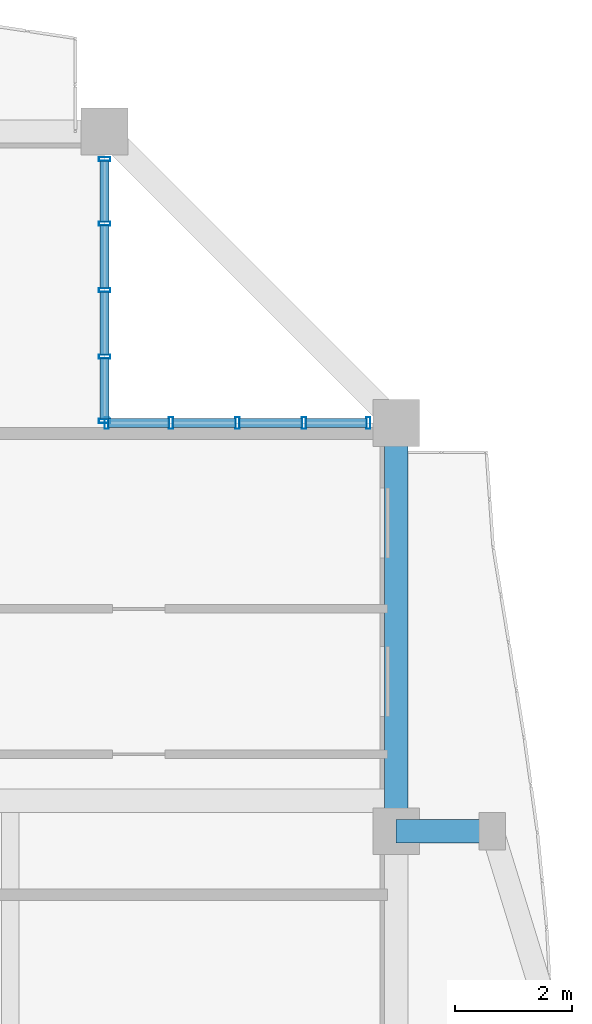
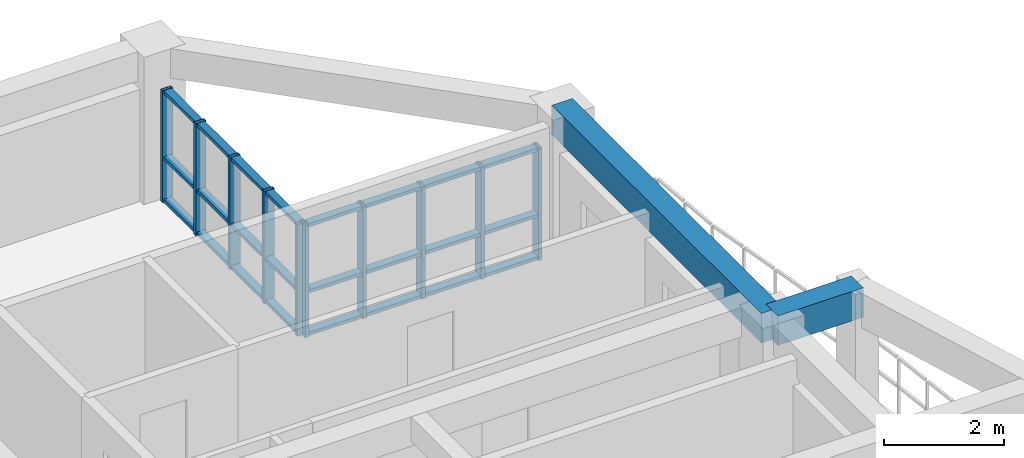
# One storey, part 8 of 21: 34 members, 2 beams, 2 elements without a shape of their own.
"""IFC4 building model written with IfcOpenShell, lengths in metres."""

from ifc_helpers import new_model, si_unit, direction, frame, origin, origin_2d, place, context, subcontext, project, spatial, rectangle, hollow_rectangle, extrude, source, transform, mapped, material, layer, layer_set, material_profile, profile_set, type_object, element, aggregate, save


model = new_model("IFC4")

# Units and contexts
model_context = context("Model", 3, precision=1e-05, world=origin(), true_north=direction((0.0, 1.0)))
body_context = subcontext(model_context, "Body", "Model", "MODEL_VIEW")
ifc_project = project(units=[si_unit("LENGTHUNIT", "METRE"), si_unit("AREAUNIT", "SQUARE_METRE"), si_unit("VOLUMEUNIT", "CUBIC_METRE"), si_unit("PLANEANGLEUNIT", "RADIAN"), si_unit("MASSUNIT", "GRAM", prefix="KILO")], contexts=[model_context])

# Site, building, storey
site_placement = place(None, origin())
site = spatial("IfcSite", under=ifc_project, at=site_placement, CompositionType="ELEMENT")
building_placement = place(site_placement, origin())
building = spatial("IfcBuilding", under=site, at=building_placement, Name="Saelheon Loggia Tower", CompositionType="ELEMENT")
storey_placement = place(building_placement, frame((0.0, 0.0, 186.699951171875)))
storey = spatial("IfcBuildingStorey", under=building, at=storey_placement, Name="L58", CompositionType="ELEMENT", Elevation=186.699951171875)

# Beams
ifc_material_1 = material(Name="Precast Concrete C45/55", Category="concrete")
ifc_material_profile_1 = material_profile(ifc_material_1, rectangle(XDim=0.39990234375, YDim=0.60009765625, at=origin_2d()), Name="RC-400x600")
ifc_profile_set_1 = profile_set([ifc_material_profile_1], Name="Precast Concrete C45/55")
beam_type_1 = type_object("IfcBeamType", Name="Beam_LoggiaTie_RC400x600", PredefinedType="BEAM", material=ifc_profile_set_1)
shared_shape_1 = source(origin(), body_context, "Body", "SweptSolid", [
    extrude(rectangle(XDim=0.39990234375, YDim=0.60009765625, at=origin_2d()), origin(), (0.0, 0.0, 1.0), 1.64990234375),
])
beam_1_placement = place(storey_placement, frame((58.25, 36.0, 2.699951171875), z_axis=(1.0, 0.0, 0.0), x_axis=(0.0, 1.0, 0.0)))
element("IfcBeam", 1, at=beam_1_placement, inside=storey, type_object=beam_type_1, Name="L58 Loggia Frame Tie Beam LP-E2", PredefinedType="BEAM", context=body_context, shape_type="MappedRepresentation", body=[
    mapped(shared_shape_1, transform((0.0, 0.0, 0.0), scale=1.0)),
])
ifc_material_2 = material(Name="Concrete C40/50", Category="concrete")
ifc_material_profile_2 = material_profile(ifc_material_2, rectangle(XDim=0.39990234375, YDim=0.60009765625, at=origin_2d()), Name="RC-400x600")
ifc_profile_set_2 = profile_set([ifc_material_profile_2], Name="Concrete C40/50")
beam_type_2 = type_object("IfcBeamType", Name="Beam_PerimUpper_RC400x600", PredefinedType="BEAM", material=ifc_profile_set_2)
shared_shape_2 = source(origin(), body_context, "Body", "SweptSolid", [
    extrude(rectangle(XDim=0.39990234375, YDim=0.60009765625, at=origin_2d()), origin(), (0.0, 0.0, 1.0), 7.0),
])
beam_2_placement = place(storey_placement, frame((58.25, 36.0, 2.699951171875), z_axis=(0.0, 1.0, 0.0), x_axis=(-1.0, 0.0, 0.0)))
element("IfcBeam", 2, at=beam_2_placement, inside=storey, type_object=beam_type_2, Name="L58 Perimeter Frame Girder 07", PredefinedType="BEAM", context=body_context, shape_type="MappedRepresentation", body=[
    mapped(shared_shape_2, transform((0.0, 0.0, 0.0), scale=1.0)),
])

# Curtain wall, members
ifc_material_3 = material(Name="High-Wind Aluminium and Triple Laminated Glass", Category="aluminium")
ifc_layer = layer(ifc_material_3, 0.179931640625)
ifc_layer_set = layer_set([ifc_layer], Name="High-Wind Aluminium and Triple Laminated Glass")
curtain_wall_type = type_object("IfcCurtainWallType", Name="CW_TowerLoggiaHigh", PredefinedType="NOTDEFINED", material=ifc_layer_set)
curtain_wall_1_placement = place(storey_placement, origin())
curtain_wall_1 = element("IfcCurtainWall", 3, at=curtain_wall_1_placement, inside=storey, type_object=curtain_wall_type, Name="L58 Corner Notch Glazing NE1", PredefinedType="NOTDEFINED")
ifc_material_4 = material(Name="Anodised Aluminium 6063-T6", Category="aluminium")
ifc_material_profile_3 = material_profile(ifc_material_4, hollow_rectangle(XDim=0.070068359375, YDim=0.199951171875, WallThickness=0.0048828125, at=origin_2d()), Name="RHS-200x70x5")
ifc_profile_set_3 = profile_set([ifc_material_profile_3], Name="Anodised Aluminium 6063-T6")
member_type_1 = type_object("IfcMemberType", Name="CW_TowerLoggiaHigh_Mullion", PredefinedType="MULLION", material=ifc_profile_set_3)
shared_shape_3 = source(origin(), body_context, "Body", "SweptSolid", [
    extrude(hollow_rectangle(XDim=0.070068359375, YDim=0.199951171875, WallThickness=0.0048828125, at=origin_2d()), origin(), (0.0, 0.0, 1.0), 2.280029296875),
])
member_1_placement = place(storey_placement, frame((53.25, 43.034912109375, 0.0), z_axis=(0.0, 0.0, 1.0), x_axis=(0.0, 1.0, 0.0)))
member_1 = element("IfcMember", 4, at=member_1_placement, type_object=member_type_1, Name="CW4 mullion 1", PredefinedType="MULLION", context=body_context, shape_type="MappedRepresentation", body=[
    mapped(shared_shape_3, transform((0.0, 0.0, 0.0), scale=1.0)),
])
member_2_placement = place(storey_placement, frame((53.25, 44.139892578125, 0.0), z_axis=(0.0, 0.0, 1.0), x_axis=(0.0, 1.0, 0.0)))
member_2 = element("IfcMember", 5, at=member_2_placement, type_object=member_type_1, Name="CW4 mullion 2", PredefinedType="MULLION", context=body_context, shape_type="MappedRepresentation", body=[
    mapped(shared_shape_3, transform((0.0, 0.0, 0.0), scale=1.0)),
])
member_3_placement = place(storey_placement, frame((53.25, 45.280029296875, 0.0), z_axis=(0.0, 0.0, 1.0), x_axis=(0.0, 1.0, 0.0)))
member_3 = element("IfcMember", 6, at=member_3_placement, type_object=member_type_1, Name="CW4 mullion 3", PredefinedType="MULLION", context=body_context, shape_type="MappedRepresentation", body=[
    mapped(shared_shape_3, transform((0.0, 0.0, 0.0), scale=1.0)),
])
member_4_placement = place(storey_placement, frame((53.25, 46.419921875, 0.0), z_axis=(0.0, 0.0, 1.0), x_axis=(0.0, 1.0, 0.0)))
member_4 = element("IfcMember", 7, at=member_4_placement, type_object=member_type_1, Name="CW4 mullion 4", PredefinedType="MULLION", context=body_context, shape_type="MappedRepresentation", body=[
    mapped(shared_shape_3, transform((0.0, 0.0, 0.0), scale=1.0)),
])
member_5_placement = place(storey_placement, frame((53.25, 47.52490234375, 0.0), z_axis=(0.0, 0.0, 1.0), x_axis=(0.0, 1.0, 0.0)))
member_5 = element("IfcMember", 8, at=member_5_placement, type_object=member_type_1, Name="CW4 mullion 5", PredefinedType="MULLION", context=body_context, shape_type="MappedRepresentation", body=[
    mapped(shared_shape_3, transform((0.0, 0.0, 0.0), scale=1.0)),
])

curtain_wall_2_placement = place(storey_placement, origin())
curtain_wall_2 = element("IfcCurtainWall", 9, at=curtain_wall_2_placement, inside=storey, type_object=curtain_wall_type, Name="L58 Corner Notch Glazing NE2", PredefinedType="NOTDEFINED")
member_6_placement = place(storey_placement, frame((53.284912109375, 43.0, 0.0), z_axis=(0.0, 0.0, 1.0), x_axis=(1.0, 0.0, 0.0)))
member_6 = element("IfcMember", 10, at=member_6_placement, type_object=member_type_1, Name="CW4 mullion 1", PredefinedType="MULLION", context=body_context, shape_type="MappedRepresentation", body=[
    mapped(shared_shape_3, transform((0.0, 0.0, 0.0), scale=1.0)),
])
member_7_placement = place(storey_placement, frame((54.389892578125, 43.0, 0.0), z_axis=(0.0, 0.0, 1.0), x_axis=(1.0, 0.0, 0.0)))
member_7 = element("IfcMember", 11, at=member_7_placement, type_object=member_type_1, Name="CW4 mullion 2", PredefinedType="MULLION", context=body_context, shape_type="MappedRepresentation", body=[
    mapped(shared_shape_3, transform((0.0, 0.0, 0.0), scale=1.0)),
])
member_8_placement = place(storey_placement, frame((55.530029296875, 43.0, 0.0), z_axis=(0.0, 0.0, 1.0), x_axis=(1.0, 0.0, 0.0)))
member_8 = element("IfcMember", 12, at=member_8_placement, type_object=member_type_1, Name="CW4 mullion 3", PredefinedType="MULLION", context=body_context, shape_type="MappedRepresentation", body=[
    mapped(shared_shape_3, transform((0.0, 0.0, 0.0), scale=1.0)),
])
member_9_placement = place(storey_placement, frame((56.669921875, 43.0, 0.0), z_axis=(0.0, 0.0, 1.0), x_axis=(1.0, 0.0, 0.0)))
member_9 = element("IfcMember", 13, at=member_9_placement, type_object=member_type_1, Name="CW4 mullion 4", PredefinedType="MULLION", context=body_context, shape_type="MappedRepresentation", body=[
    mapped(shared_shape_3, transform((0.0, 0.0, 0.0), scale=1.0)),
])
member_10_placement = place(storey_placement, frame((57.77490234375, 43.0, 0.0), z_axis=(0.0, 0.0, 1.0), x_axis=(1.0, 0.0, 0.0)))
member_10 = element("IfcMember", 14, at=member_10_placement, type_object=member_type_1, Name="CW4 mullion 5", PredefinedType="MULLION", context=body_context, shape_type="MappedRepresentation", body=[
    mapped(shared_shape_3, transform((0.0, 0.0, 0.0), scale=1.0)),
])

# Member
ifc_material_profile_4 = material_profile(ifc_material_4, hollow_rectangle(XDim=0.070068359375, YDim=0.14990234375, WallThickness=0.0048828125, at=origin_2d()), Name="RHS-150x70x5")
ifc_profile_set_4 = profile_set([ifc_material_profile_4], Name="Anodised Aluminium 6063-T6")
member_type_2 = type_object("IfcMemberType", Name="CW_TowerLoggiaHigh_Transom", PredefinedType="USERDEFINED", material=ifc_profile_set_4)
shared_shape_4 = source(origin(), body_context, "Body", "SweptSolid", [
    extrude(hollow_rectangle(XDim=0.070068359375, YDim=0.14990234375, WallThickness=0.0048828125, at=origin_2d()), origin(), (0.0, 0.0, 1.0), 1.034912109375),
])
member_11_placement = place(storey_placement, frame((53.25, 43.070068359375, 0.03515625), z_axis=(0.0, 1.0, 0.0), x_axis=(0.0, 0.0, 1.0)))
member_11 = element("IfcMember", 15, at=member_11_placement, type_object=member_type_2, Name="CW4 transom 1.1", ObjectType="TRANSOM", PredefinedType="USERDEFINED", context=body_context, shape_type="MappedRepresentation", body=[
    mapped(shared_shape_4, transform((0.0, 0.0, 0.0), scale=1.0)),
])

member_12_placement = place(storey_placement, frame((53.25, 43.070068359375, 0.900146484375), z_axis=(0.0, 1.0, 0.0), x_axis=(0.0, 0.0, 1.0)))
member_12 = element("IfcMember", 16, at=member_12_placement, type_object=member_type_2, Name="CW4 transom 1.2", ObjectType="TRANSOM", PredefinedType="USERDEFINED", context=body_context, shape_type="MappedRepresentation", body=[
    mapped(shared_shape_4, transform((0.0, 0.0, 0.0), scale=1.0)),
])

member_13_placement = place(storey_placement, frame((53.25, 43.070068359375, 2.2451171875), z_axis=(0.0, 1.0, 0.0), x_axis=(0.0, 0.0, 1.0)))
member_13 = element("IfcMember", 17, at=member_13_placement, type_object=member_type_2, Name="CW4 transom 1.3", ObjectType="TRANSOM", PredefinedType="USERDEFINED", context=body_context, shape_type="MappedRepresentation", body=[
    mapped(shared_shape_4, transform((0.0, 0.0, 0.0), scale=1.0)),
])

member_14_placement = place(storey_placement, frame((53.25, 46.455078125, 0.03515625), z_axis=(0.0, 1.0, 0.0), x_axis=(0.0, 0.0, 1.0)))
member_14 = element("IfcMember", 18, at=member_14_placement, type_object=member_type_2, Name="CW4 transom 4.1", ObjectType="TRANSOM", PredefinedType="USERDEFINED", context=body_context, shape_type="MappedRepresentation", body=[
    mapped(shared_shape_4, transform((0.0, 0.0, 0.0), scale=1.0)),
])

member_15_placement = place(storey_placement, frame((53.25, 46.455078125, 0.900146484375), z_axis=(0.0, 1.0, 0.0), x_axis=(0.0, 0.0, 1.0)))
member_15 = element("IfcMember", 19, at=member_15_placement, type_object=member_type_2, Name="CW4 transom 4.2", ObjectType="TRANSOM", PredefinedType="USERDEFINED", context=body_context, shape_type="MappedRepresentation", body=[
    mapped(shared_shape_4, transform((0.0, 0.0, 0.0), scale=1.0)),
])

member_16_placement = place(storey_placement, frame((53.25, 46.455078125, 2.2451171875), z_axis=(0.0, 1.0, 0.0), x_axis=(0.0, 0.0, 1.0)))
member_16 = element("IfcMember", 20, at=member_16_placement, type_object=member_type_2, Name="CW4 transom 4.3", ObjectType="TRANSOM", PredefinedType="USERDEFINED", context=body_context, shape_type="MappedRepresentation", body=[
    mapped(shared_shape_4, transform((0.0, 0.0, 0.0), scale=1.0)),
])

member_17_placement = place(storey_placement, frame((53.320068359375, 43.0, 0.03515625), z_axis=(1.0, 0.0, 0.0), x_axis=(0.0, 0.0, 1.0)))
member_17 = element("IfcMember", 21, at=member_17_placement, type_object=member_type_2, Name="CW4 transom 1.1", ObjectType="TRANSOM", PredefinedType="USERDEFINED", context=body_context, shape_type="MappedRepresentation", body=[
    mapped(shared_shape_4, transform((0.0, 0.0, 0.0), scale=1.0)),
])

member_18_placement = place(storey_placement, frame((53.320068359375, 43.0, 0.900146484375), z_axis=(1.0, 0.0, 0.0), x_axis=(0.0, 0.0, 1.0)))
member_18 = element("IfcMember", 22, at=member_18_placement, type_object=member_type_2, Name="CW4 transom 1.2", ObjectType="TRANSOM", PredefinedType="USERDEFINED", context=body_context, shape_type="MappedRepresentation", body=[
    mapped(shared_shape_4, transform((0.0, 0.0, 0.0), scale=1.0)),
])

member_19_placement = place(storey_placement, frame((53.320068359375, 43.0, 2.2451171875), z_axis=(1.0, 0.0, 0.0), x_axis=(0.0, 0.0, 1.0)))
member_19 = element("IfcMember", 23, at=member_19_placement, type_object=member_type_2, Name="CW4 transom 1.3", ObjectType="TRANSOM", PredefinedType="USERDEFINED", context=body_context, shape_type="MappedRepresentation", body=[
    mapped(shared_shape_4, transform((0.0, 0.0, 0.0), scale=1.0)),
])

member_20_placement = place(storey_placement, frame((56.705078125, 43.0, 0.03515625), z_axis=(1.0, 0.0, 0.0), x_axis=(0.0, 0.0, 1.0)))
member_20 = element("IfcMember", 24, at=member_20_placement, type_object=member_type_2, Name="CW4 transom 4.1", ObjectType="TRANSOM", PredefinedType="USERDEFINED", context=body_context, shape_type="MappedRepresentation", body=[
    mapped(shared_shape_4, transform((0.0, 0.0, 0.0), scale=1.0)),
])

member_21_placement = place(storey_placement, frame((56.705078125, 43.0, 0.900146484375), z_axis=(1.0, 0.0, 0.0), x_axis=(0.0, 0.0, 1.0)))
member_21 = element("IfcMember", 25, at=member_21_placement, type_object=member_type_2, Name="CW4 transom 4.2", ObjectType="TRANSOM", PredefinedType="USERDEFINED", context=body_context, shape_type="MappedRepresentation", body=[
    mapped(shared_shape_4, transform((0.0, 0.0, 0.0), scale=1.0)),
])

member_22_placement = place(storey_placement, frame((56.705078125, 43.0, 2.2451171875), z_axis=(1.0, 0.0, 0.0), x_axis=(0.0, 0.0, 1.0)))
member_22 = element("IfcMember", 26, at=member_22_placement, type_object=member_type_2, Name="CW4 transom 4.3", ObjectType="TRANSOM", PredefinedType="USERDEFINED", context=body_context, shape_type="MappedRepresentation", body=[
    mapped(shared_shape_4, transform((0.0, 0.0, 0.0), scale=1.0)),
])

shared_shape_5 = source(origin(), body_context, "Body", "SweptSolid", [
    extrude(hollow_rectangle(XDim=0.070068359375, YDim=0.14990234375, WallThickness=0.0048828125, at=origin_2d()), origin(), (0.0, 0.0, 1.0), 1.070068359375),
])
member_23_placement = place(storey_placement, frame((53.25, 44.175048828125, 0.03515625), z_axis=(0.0, 1.0, 0.0), x_axis=(0.0, 0.0, 1.0)))
member_23 = element("IfcMember", 27, at=member_23_placement, type_object=member_type_2, Name="CW4 transom 2.1", ObjectType="TRANSOM", PredefinedType="USERDEFINED", context=body_context, shape_type="MappedRepresentation", body=[
    mapped(shared_shape_5, transform((0.0, 0.0, 0.0), scale=1.0)),
])

member_24_placement = place(storey_placement, frame((53.25, 44.175048828125, 0.900146484375), z_axis=(0.0, 1.0, 0.0), x_axis=(0.0, 0.0, 1.0)))
member_24 = element("IfcMember", 28, at=member_24_placement, type_object=member_type_2, Name="CW4 transom 2.2", ObjectType="TRANSOM", PredefinedType="USERDEFINED", context=body_context, shape_type="MappedRepresentation", body=[
    mapped(shared_shape_5, transform((0.0, 0.0, 0.0), scale=1.0)),
])

member_25_placement = place(storey_placement, frame((53.25, 44.175048828125, 2.2451171875), z_axis=(0.0, 1.0, 0.0), x_axis=(0.0, 0.0, 1.0)))
member_25 = element("IfcMember", 29, at=member_25_placement, type_object=member_type_2, Name="CW4 transom 2.3", ObjectType="TRANSOM", PredefinedType="USERDEFINED", context=body_context, shape_type="MappedRepresentation", body=[
    mapped(shared_shape_5, transform((0.0, 0.0, 0.0), scale=1.0)),
])

member_26_placement = place(storey_placement, frame((53.25, 45.31494140625, 0.03515625), z_axis=(0.0, 1.0, 0.0), x_axis=(0.0, 0.0, 1.0)))
member_26 = element("IfcMember", 30, at=member_26_placement, type_object=member_type_2, Name="CW4 transom 3.1", ObjectType="TRANSOM", PredefinedType="USERDEFINED", context=body_context, shape_type="MappedRepresentation", body=[
    mapped(shared_shape_5, transform((0.0, 0.0, 0.0), scale=1.0)),
])

member_27_placement = place(storey_placement, frame((53.25, 45.31494140625, 0.900146484375), z_axis=(0.0, 1.0, 0.0), x_axis=(0.0, 0.0, 1.0)))
member_27 = element("IfcMember", 31, at=member_27_placement, type_object=member_type_2, Name="CW4 transom 3.2", ObjectType="TRANSOM", PredefinedType="USERDEFINED", context=body_context, shape_type="MappedRepresentation", body=[
    mapped(shared_shape_5, transform((0.0, 0.0, 0.0), scale=1.0)),
])

member_28_placement = place(storey_placement, frame((53.25, 45.31494140625, 2.2451171875), z_axis=(0.0, 1.0, 0.0), x_axis=(0.0, 0.0, 1.0)))
member_28 = element("IfcMember", 32, at=member_28_placement, type_object=member_type_2, Name="CW4 transom 3.3", ObjectType="TRANSOM", PredefinedType="USERDEFINED", context=body_context, shape_type="MappedRepresentation", body=[
    mapped(shared_shape_5, transform((0.0, 0.0, 0.0), scale=1.0)),
])

aggregate(curtain_wall_1, [member_1, member_2, member_3, member_4, member_5, member_11, member_12, member_13, member_23, member_24, member_25, member_26, member_27, member_28, member_14, member_15, member_16])

member_29_placement = place(storey_placement, frame((54.425048828125, 43.0, 0.03515625), z_axis=(1.0, 0.0, 0.0), x_axis=(0.0, 0.0, 1.0)))
member_29 = element("IfcMember", 33, at=member_29_placement, type_object=member_type_2, Name="CW4 transom 2.1", ObjectType="TRANSOM", PredefinedType="USERDEFINED", context=body_context, shape_type="MappedRepresentation", body=[
    mapped(shared_shape_5, transform((0.0, 0.0, 0.0), scale=1.0)),
])

member_30_placement = place(storey_placement, frame((54.425048828125, 43.0, 0.900146484375), z_axis=(1.0, 0.0, 0.0), x_axis=(0.0, 0.0, 1.0)))
member_30 = element("IfcMember", 34, at=member_30_placement, type_object=member_type_2, Name="CW4 transom 2.2", ObjectType="TRANSOM", PredefinedType="USERDEFINED", context=body_context, shape_type="MappedRepresentation", body=[
    mapped(shared_shape_5, transform((0.0, 0.0, 0.0), scale=1.0)),
])

member_31_placement = place(storey_placement, frame((54.425048828125, 43.0, 2.2451171875), z_axis=(1.0, 0.0, 0.0), x_axis=(0.0, 0.0, 1.0)))
member_31 = element("IfcMember", 35, at=member_31_placement, type_object=member_type_2, Name="CW4 transom 2.3", ObjectType="TRANSOM", PredefinedType="USERDEFINED", context=body_context, shape_type="MappedRepresentation", body=[
    mapped(shared_shape_5, transform((0.0, 0.0, 0.0), scale=1.0)),
])

member_32_placement = place(storey_placement, frame((55.56494140625, 43.0, 0.03515625), z_axis=(1.0, 0.0, 0.0), x_axis=(0.0, 0.0, 1.0)))
member_32 = element("IfcMember", 36, at=member_32_placement, type_object=member_type_2, Name="CW4 transom 3.1", ObjectType="TRANSOM", PredefinedType="USERDEFINED", context=body_context, shape_type="MappedRepresentation", body=[
    mapped(shared_shape_5, transform((0.0, 0.0, 0.0), scale=1.0)),
])

member_33_placement = place(storey_placement, frame((55.56494140625, 43.0, 0.900146484375), z_axis=(1.0, 0.0, 0.0), x_axis=(0.0, 0.0, 1.0)))
member_33 = element("IfcMember", 37, at=member_33_placement, type_object=member_type_2, Name="CW4 transom 3.2", ObjectType="TRANSOM", PredefinedType="USERDEFINED", context=body_context, shape_type="MappedRepresentation", body=[
    mapped(shared_shape_5, transform((0.0, 0.0, 0.0), scale=1.0)),
])

member_34_placement = place(storey_placement, frame((55.56494140625, 43.0, 2.2451171875), z_axis=(1.0, 0.0, 0.0), x_axis=(0.0, 0.0, 1.0)))
member_34 = element("IfcMember", 38, at=member_34_placement, type_object=member_type_2, Name="CW4 transom 3.3", ObjectType="TRANSOM", PredefinedType="USERDEFINED", context=body_context, shape_type="MappedRepresentation", body=[
    mapped(shared_shape_5, transform((0.0, 0.0, 0.0), scale=1.0)),
])

aggregate(curtain_wall_2, [member_6, member_7, member_8, member_9, member_10, member_17, member_18, member_19, member_29, member_30, member_31, member_32, member_33, member_34, member_20, member_21, member_22])

save(model, "model.ifc")
